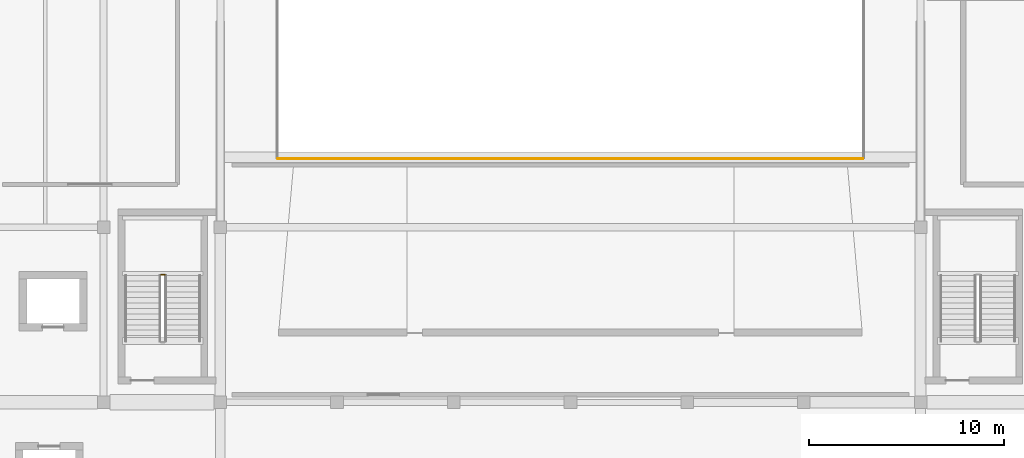
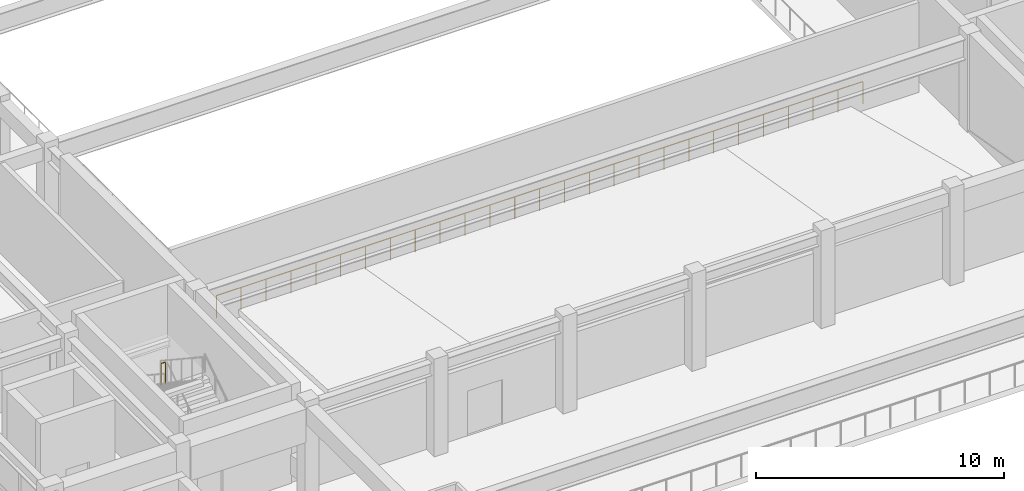
# One storey, part 77 of 85: 2 railings.
"""IFC4 building model written with IfcOpenShell, lengths in metres."""

from ifc_helpers import new_model, si_unit, direction, frame, origin, origin_2d, place, context, subcontext, project, spatial, circle, extrude, material, type_object, element, save


model = new_model("IFC4")

# Units and contexts
model_context = context("Model", 3, precision=1e-05, world=origin(), true_north=direction((0.0, 1.0)))
body_context = subcontext(model_context, "Body", "Model", "MODEL_VIEW")
ifc_project = project(units=[si_unit("LENGTHUNIT", "METRE"), si_unit("AREAUNIT", "SQUARE_METRE"), si_unit("VOLUMEUNIT", "CUBIC_METRE"), si_unit("PLANEANGLEUNIT", "RADIAN"), si_unit("MASSUNIT", "GRAM", prefix="KILO")], contexts=[model_context])

# Site, building, storey
site_placement = place(None, origin())
site = spatial("IfcSite", under=ifc_project, at=site_placement, CompositionType="ELEMENT")
building_placement = place(site_placement, origin())
building = spatial("IfcBuilding", under=site, at=building_placement, Name="Vaelkrest Opera House", CompositionType="ELEMENT")
storey_placement = place(building_placement, frame((0.0, 0.0, 10.199951171875)))
storey = spatial("IfcBuildingStorey", under=building, at=storey_placement, Name="L02", CompositionType="ELEMENT", Elevation=10.199951171875)

# Railings
ifc_material = material(Name="Dark bronze anodized aluminium", Category="aluminium")
railing_type_1 = type_object("IfcRailingType", Name="BL01", PredefinedType="BALUSTRADE", material=ifc_material)
railing_1_placement = place(storey_placement, frame((-15.0400390625, -16.280029296875, 0.0)))
element("IfcRailing", 1, at=railing_1_placement, inside=storey, type_object=railing_type_1, Name="Atrium/stage void guard V1 L02-1 seg 1", PredefinedType="BALUSTRADE", context=body_context, shape_type="SweptSolid", body=[
    extrude(circle(Radius=0.02392578125, at=origin_2d()), frame((0.0, 0.0, 1.09619140625), z_axis=(1.0, 0.0, 0.0), x_axis=(0.0, 1.0, 0.0)), (0.0, 0.0, 1.0), 30.080078125),
    extrude(circle(Radius=0.02099609375, at=origin_2d()), origin(), (0.0, 0.0, 1.0), 1.072021484375),
    extrude(circle(Radius=0.02099609375, at=origin_2d()), frame((1.156982421875, 0.0, 0.0)), (0.0, 0.0, 1.0), 1.072021484375),
    extrude(circle(Radius=0.02099609375, at=origin_2d()), frame((2.31396484375, 0.0, 0.0)), (0.0, 0.0, 1.0), 1.072021484375),
    extrude(circle(Radius=0.02099609375, at=origin_2d()), frame((3.470703125, 0.0, 0.0)), (0.0, 0.0, 1.0), 1.072021484375),
    extrude(circle(Radius=0.02099609375, at=origin_2d()), frame((4.627685546875, 0.0, 0.0)), (0.0, 0.0, 1.0), 1.072021484375),
    extrude(circle(Radius=0.02099609375, at=origin_2d()), frame((5.78466796875, 0.0, 0.0)), (0.0, 0.0, 1.0), 1.072021484375),
    extrude(circle(Radius=0.02099609375, at=origin_2d()), frame((6.941650390625, 0.0, 0.0)), (0.0, 0.0, 1.0), 1.072021484375),
    extrude(circle(Radius=0.02099609375, at=origin_2d()), frame((8.098388671875, 0.0, 0.0)), (0.0, 0.0, 1.0), 1.072021484375),
    extrude(circle(Radius=0.02099609375, at=origin_2d()), frame((9.25537109375, 0.0, 0.0)), (0.0, 0.0, 1.0), 1.072021484375),
    extrude(circle(Radius=0.02099609375, at=origin_2d()), frame((10.412353515625, 0.0, 0.0)), (0.0, 0.0, 1.0), 1.072021484375),
    extrude(circle(Radius=0.02099609375, at=origin_2d()), frame((11.5693359375, 0.0, 0.0)), (0.0, 0.0, 1.0), 1.072021484375),
    extrude(circle(Radius=0.02099609375, at=origin_2d()), frame((12.72607421875, 0.0, 0.0)), (0.0, 0.0, 1.0), 1.072021484375),
    extrude(circle(Radius=0.02099609375, at=origin_2d()), frame((13.883056640625, 0.0, 0.0)), (0.0, 0.0, 1.0), 1.072021484375),
    extrude(circle(Radius=0.02099609375, at=origin_2d()), frame((15.0400390625, 0.0, 0.0)), (0.0, 0.0, 1.0), 1.072021484375),
    extrude(circle(Radius=0.02099609375, at=origin_2d()), frame((16.197021484375, 0.0, 0.0)), (0.0, 0.0, 1.0), 1.072021484375),
    extrude(circle(Radius=0.02099609375, at=origin_2d()), frame((17.35400390625, 0.0, 0.0)), (0.0, 0.0, 1.0), 1.072021484375),
    extrude(circle(Radius=0.02099609375, at=origin_2d()), frame((18.5107421875, 0.0, 0.0)), (0.0, 0.0, 1.0), 1.072021484375),
    extrude(circle(Radius=0.02099609375, at=origin_2d()), frame((19.667724609375, 0.0, 0.0)), (0.0, 0.0, 1.0), 1.072021484375),
    extrude(circle(Radius=0.02099609375, at=origin_2d()), frame((20.82470703125, 0.0, 0.0)), (0.0, 0.0, 1.0), 1.072021484375),
    extrude(circle(Radius=0.02099609375, at=origin_2d()), frame((21.981689453125, 0.0, 0.0)), (0.0, 0.0, 1.0), 1.072021484375),
    extrude(circle(Radius=0.02099609375, at=origin_2d()), frame((23.138427734375, 0.0, 0.0)), (0.0, 0.0, 1.0), 1.072021484375),
    extrude(circle(Radius=0.02099609375, at=origin_2d()), frame((24.29541015625, 0.0, 0.0)), (0.0, 0.0, 1.0), 1.072021484375),
    extrude(circle(Radius=0.02099609375, at=origin_2d()), frame((25.452392578125, 0.0, 0.0)), (0.0, 0.0, 1.0), 1.072021484375),
    extrude(circle(Radius=0.02099609375, at=origin_2d()), frame((26.609375, 0.0, 0.0)), (0.0, 0.0, 1.0), 1.072021484375),
    extrude(circle(Radius=0.02099609375, at=origin_2d()), frame((27.76611328125, 0.0, 0.0)), (0.0, 0.0, 1.0), 1.072021484375),
    extrude(circle(Radius=0.02099609375, at=origin_2d()), frame((28.923095703125, 0.0, 0.0)), (0.0, 0.0, 1.0), 1.072021484375),
    extrude(circle(Radius=0.02099609375, at=origin_2d()), frame((30.080078125, 0.0, 0.0)), (0.0, 0.0, 1.0), 1.072021484375),
])
railing_type_2 = type_object("IfcRailingType", Name="GR02", PredefinedType="GUARDRAIL", material=ifc_material)
railing_2_placement = place(storey_placement, frame((-20.85009765625, -22.239990234375, 2.400146484375)))
element("IfcRailing", 2, at=railing_2_placement, inside=storey, type_object=railing_type_2, Name="L02 ST01 stair guard 2", PredefinedType="GUARDRAIL", context=body_context, shape_type="SweptSolid", body=[
    extrude(circle(Radius=0.02392578125, at=origin_2d()), frame((0.0, 0.0, 1.076171875), z_axis=(-1.0, 0.0, 0.0), x_axis=(0.0, -1.0, 0.0)), (0.0, 0.0, 1.0), 0.199951171875),
    extrude(circle(Radius=0.02099609375, at=origin_2d()), origin(), (0.0, 0.0, 1.0), 1.052001953125),
    extrude(circle(Radius=0.02099609375, at=origin_2d()), frame((-0.199951171875, 0.0, 0.0)), (0.0, 0.0, 1.0), 1.052001953125),
])

save(model, "model.ifc")
